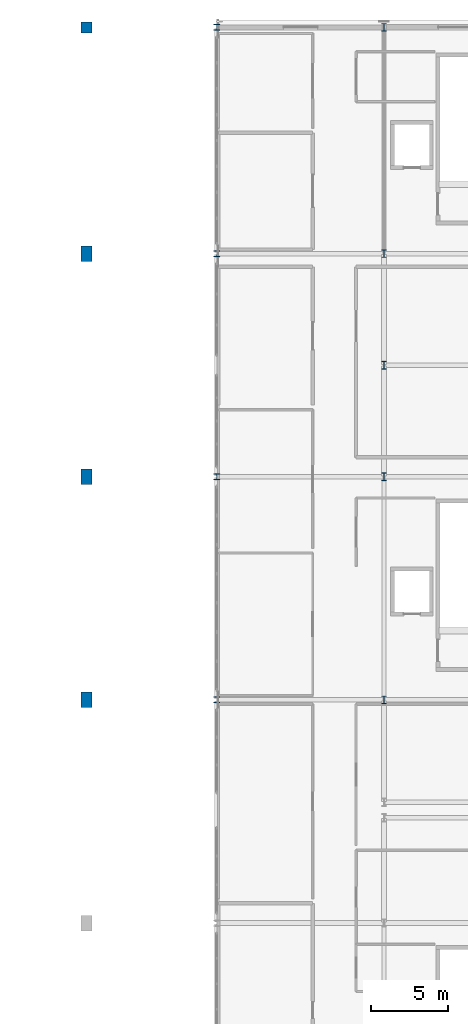
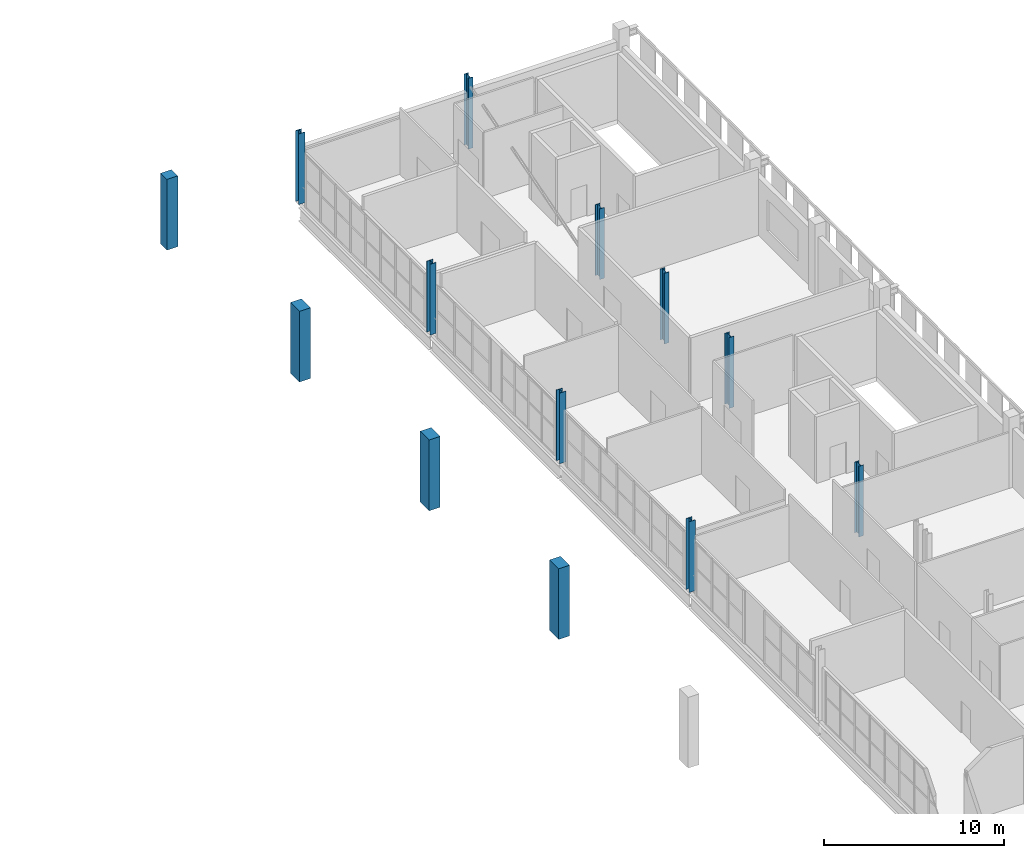
# One storey, part 5 of 51: 13 columns.
"""IFC4 building model written with IfcOpenShell, lengths in metres."""

from ifc_helpers import new_model, si_unit, direction, frame, origin, origin_2d, place, context, subcontext, project, spatial, rectangle, i_section, extrude, material, material_profile, profile_set, type_object, element, save


model = new_model("IFC4")

# Units and contexts
model_context = context("Model", 3, precision=1e-05, world=origin(), true_north=direction((0.0, 1.0)))
body_context = subcontext(model_context, "Body", "Model", "MODEL_VIEW")
ifc_project = project(units=[si_unit("LENGTHUNIT", "METRE"), si_unit("AREAUNIT", "SQUARE_METRE"), si_unit("VOLUMEUNIT", "CUBIC_METRE"), si_unit("PLANEANGLEUNIT", "RADIAN"), si_unit("MASSUNIT", "GRAM", prefix="KILO")], contexts=[model_context])

# Site, building, storey
site_placement = place(None, origin())
site = spatial("IfcSite", under=ifc_project, at=site_placement, CompositionType="ELEMENT")
building_placement = place(site_placement, origin())
building = spatial("IfcBuilding", under=site, at=building_placement, Name="Koshinbarg Plaza Stadium", CompositionType="ELEMENT")
storey_placement = place(building_placement, frame((0.0, 0.0, 24.60009765625)))
storey = spatial("IfcBuildingStorey", under=building, at=storey_placement, Name="L05", CompositionType="ELEMENT", Elevation=24.60009765625)

# Columns
ifc_material_1 = material(Name="Concrete C40/50", Category="concrete")
ifc_material_profile_1 = material_profile(ifc_material_1, rectangle(XDim=0.699951171875, YDim=0.699951171875, at=origin_2d()), Name="RC 700x700")
ifc_profile_set_1 = profile_set([ifc_material_profile_1], Name="Concrete C40/50")
column_type_1 = type_object("IfcColumnType", Name="COL-RC-06", PredefinedType="COLUMN", material=ifc_profile_set_1)
column_placement = place(storey_placement, frame((189.39990234375, 126.5, 0.0), z_axis=(0.0, 0.0, 1.0), x_axis=(1.0, 0.0, 0.0)))
element("IfcColumn", 1, at=column_placement, inside=storey, type_object=column_type_1, Name="L05 column 18/R", PredefinedType="COLUMN", context=body_context, shape_type="SweptSolid", body=[
    extrude(rectangle(XDim=0.699951171875, YDim=0.699951171875, at=origin_2d()), origin(), (0.0, 0.0, 1.0), 4.7998046875),
])
ifc_material_profile_2 = material_profile(ifc_material_1, rectangle(XDim=0.699951171875, YDim=1.0, at=origin_2d()), Name="RC 700x1000")
ifc_profile_set_2 = profile_set([ifc_material_profile_2], Name="Concrete C40/50")
column_type_2 = type_object("IfcColumnType", Name="COL-RC-13", PredefinedType="COLUMN", material=ifc_profile_set_2)
for number, where, z_axis, x_axis, name in (
    (2, (189.39990234375, 83.10009765625, 0.0), (0.0, 0.0, 1.0), (1.0, 0.0, 0.0), "L05 column 18/M"),
    (3, (189.39990234375, 97.5, 0.0), (0.0, 0.0, 1.0), (1.0, 0.0, 0.0), "L05 column 18/N"),
    (4, (189.39990234375, 111.89990234375, 0.0), (0.0, 0.0, 1.0), (1.0, 0.0, 0.0), "L05 column 18/Q"),
):
    element("IfcColumn", number, at=place(storey_placement, frame(where, z_axis=z_axis, x_axis=x_axis)), inside=storey, type_object=column_type_2, Name=name, PredefinedType="COLUMN", context=body_context, shape_type="SweptSolid", body=[
        extrude(rectangle(XDim=0.699951171875, YDim=1.0, at=origin_2d()), origin(), (0.0, 0.0, 1.0), 4.7998046875),
    ])
ifc_material_2 = material(Name="Steel S355", Category="steel")
ifc_material_profile_3 = material_profile(ifc_material_2, i_section(OverallWidth=0.39501953125, OverallDepth=0.3798828125, WebThickness=0.018798828125, FlangeThickness=0.0302734375, at=origin_2d()), Name="HD 400x237")
ifc_profile_set_3 = profile_set([ifc_material_profile_3], Name="Steel S355")
column_type_3 = type_object("IfcColumnType", Name="COL-STL-01", PredefinedType="COLUMN", material=ifc_profile_set_3)
for number, where, z_axis, x_axis, name in (
    (5, (197.800048828125, 83.10009765625, 0.0), (0.0, 0.0, 1.0), (1.0, 0.0, 0.0), "L05 column 19/M"),
    (6, (197.800048828125, 97.5, 0.0), (0.0, 0.0, 1.0), (1.0, 0.0, 0.0), "L05 column 19/N"),
    (7, (197.800048828125, 111.89990234375, 0.0), (0.0, 0.0, 1.0), (1.0, 0.0, 0.0), "L05 column 19/Q"),
    (8, (197.800048828125, 126.5, 0.0), (0.0, 0.0, 1.0), (1.0, 0.0, 0.0), "L05 column 19/R"),
):
    element("IfcColumn", number, at=place(storey_placement, frame(where, z_axis=z_axis, x_axis=x_axis)), inside=storey, type_object=column_type_3, Name=name, PredefinedType="COLUMN", context=body_context, shape_type="SweptSolid", body=[
        extrude(i_section(OverallWidth=0.39501953125, OverallDepth=0.3798828125, WebThickness=0.018798828125, FlangeThickness=0.0302734375, at=origin_2d()), origin(), (0.0, 0.0, 1.0), 4.7998046875),
    ])
ifc_material_profile_4 = material_profile(ifc_material_2, i_section(OverallWidth=0.300048828125, OverallDepth=0.5, WebThickness=0.014404296875, FlangeThickness=0.028076171875, at=origin_2d()), Name="HEB 500")
ifc_profile_set_4 = profile_set([ifc_material_profile_4], Name="Steel S355")
column_type_4 = type_object("IfcColumnType", Name="COL-STL-02", PredefinedType="COLUMN", material=ifc_profile_set_4)
for number, where, z_axis, x_axis, name in (
    (9, (208.60009765625, 83.10009765625, 0.0), (0.0, 0.0, 1.0), (1.0, 0.0, 0.0), "L05 column 20/M"),
    (10, (208.60009765625, 97.5, 0.0), (0.0, 0.0, 1.0), (1.0, 0.0, 0.0), "L05 column 20/N"),
    (11, (208.60009765625, 104.699951171875, 0.0), (0.0, 0.0, 1.0), (1.0, 0.0, 0.0), "L05 column 20/P"),
    (12, (208.60009765625, 111.89990234375, 0.0), (0.0, 0.0, 1.0), (1.0, 0.0, 0.0), "L05 column 20/Q"),
    (13, (208.60009765625, 126.5, 0.0), (0.0, 0.0, 1.0), (1.0, 0.0, 0.0), "L05 column 20/R"),
):
    element("IfcColumn", number, at=place(storey_placement, frame(where, z_axis=z_axis, x_axis=x_axis)), inside=storey, type_object=column_type_4, Name=name, PredefinedType="COLUMN", context=body_context, shape_type="SweptSolid", body=[
        extrude(i_section(OverallWidth=0.300048828125, OverallDepth=0.5, WebThickness=0.014404296875, FlangeThickness=0.028076171875, at=origin_2d()), origin(), (0.0, 0.0, 1.0), 4.7998046875),
    ])

save(model, "model.ifc")
